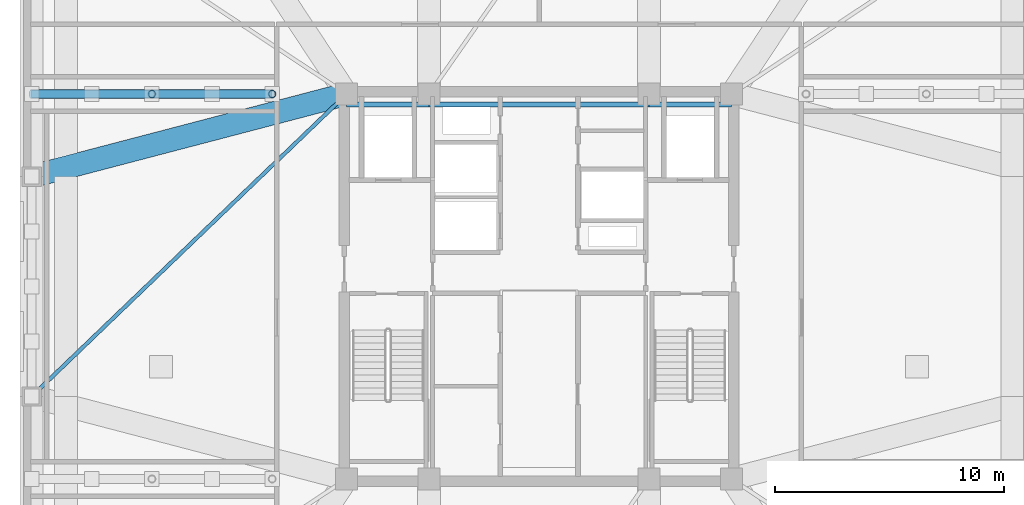
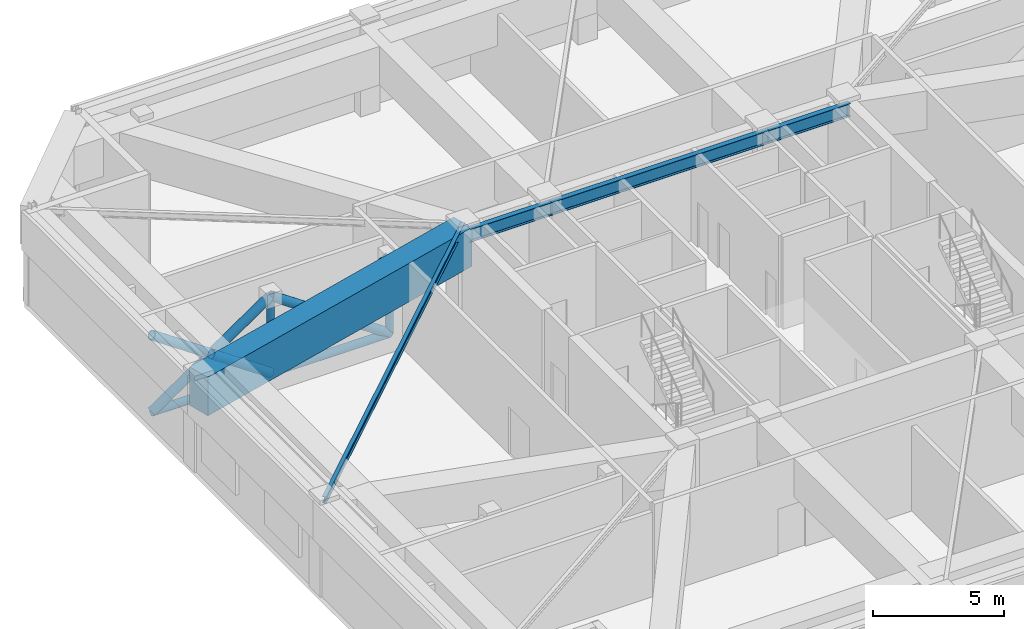
# One storey, part 7 of 17: 9 members, 5 beams.
"""IFC4 building model written with IfcOpenShell, lengths in metres."""

from ifc_helpers import new_model, si_unit, direction, frame, origin, origin_2d, place, context, subcontext, project, spatial, rectangle, hollow_circle, i_section, extrude, material, material_profile, profile_set, type_object, element, save


model = new_model("IFC4")

# Units and contexts
model_context = context("Model", 3, precision=1e-05, world=origin(), true_north=direction((0.0, 1.0)))
body_context = subcontext(model_context, "Body", "Model", "MODEL_VIEW")
ifc_project = project(units=[si_unit("LENGTHUNIT", "METRE"), si_unit("AREAUNIT", "SQUARE_METRE"), si_unit("VOLUMEUNIT", "CUBIC_METRE"), si_unit("PLANEANGLEUNIT", "RADIAN"), si_unit("MASSUNIT", "GRAM", prefix="KILO")], contexts=[model_context])

# Site, building, storey
site_placement = place(None, origin())
site = spatial("IfcSite", under=ifc_project, at=site_placement, CompositionType="ELEMENT")
building_placement = place(site_placement, origin())
building = spatial("IfcBuilding", under=site, at=building_placement, Name="Cairnveth Concourse Tower", CompositionType="ELEMENT")
storey_placement = place(building_placement, frame((0.0, 0.0, 276.0)))
storey = spatial("IfcBuildingStorey", under=building, at=storey_placement, Name="L76", CompositionType="ELEMENT", Elevation=276.0)

# Member
ifc_material_1 = material(Name="Steel C350L0 (350 MPa)", Category="steel")
ifc_material_profile_1 = material_profile(ifc_material_1, hollow_circle(Radius=0.177734375, WallThickness=0.01611328125, at=origin_2d()), Name="355.6x16.0CHS")
ifc_profile_set_1 = profile_set([ifc_material_profile_1], Name="Steel C350L0 (350 MPa)")
member_type_1 = type_object("IfcMemberType", Name="BELT TRUSS CHORD 355.6X16CHS", PredefinedType="CHORD", material=ifc_profile_set_1)
member_1_placement = place(storey_placement, frame((29.85009765625, 47.39990234375, 0.25), z_axis=(1.0, 0.0, 0.0), x_axis=(0.0, 1.0, 0.0)))
element("IfcMember", 1, at=member_1_placement, inside=storey, type_object=member_type_1, Name="Structural Brace OUT-OW2A-CH L76", PredefinedType="CHORD", context=body_context, shape_type="SweptSolid", body=[
    extrude(hollow_circle(Radius=0.177734375, WallThickness=0.01611328125, at=origin_2d()), origin(), (0.0, 0.0, 1.0), 10.5),
])

# Beams
ifc_material_2 = material(Name="Concrete N65 (65 MPa)", Category="concrete")
ifc_material_profile_2 = material_profile(ifc_material_2, rectangle(XDim=1.0, YDim=1.800048828125, at=origin_2d()), Name="RC-TB-1000x1800")
ifc_profile_set_2 = profile_set([ifc_material_profile_2], Name="Concrete N65 (65 MPa)")
beam_type_1 = type_object("IfcBeamType", Name="CONCRETE TRANSFER GIRDER 1000X1800", PredefinedType="BEAM", material=ifc_profile_set_2)
beam_1_placement = place(storey_placement, frame((29.85009765625, 43.800048828125, 3.389892578125), z_axis=(0.967395273598, 0.253271365575, 0.0), x_axis=(-0.253271365575, 0.967395273598, 0.0)))
element("IfcBeam", 2, at=beam_1_placement, inside=storey, type_object=beam_type_1, Name="Beam RG-W2 L76", PredefinedType="BEAM", context=body_context, shape_type="SweptSolid", body=[
    extrude(rectangle(XDim=1.0, YDim=1.800048828125, at=origin_2d()), origin(), (0.0, 0.0, 1.0), 14.21337890625),
])
ifc_material_3 = material(Name="Steel Grade 350", Category="steel")
ifc_material_profile_3 = material_profile(ifc_material_3, i_section(OverallWidth=0.22802734375, OverallDepth=0.60693359375, WebThickness=0.01123046875, FlangeThickness=0.017333984375, FilletRadius=0.013916015625, at=origin_2d()), Name="610UB113")
ifc_profile_set_3 = profile_set([ifc_material_profile_3], Name="Steel Grade 350")
beam_type_2 = type_object("IfcBeamType", Name="CORE TIE BEAM 610UB113", PredefinedType="T_BEAM", material=ifc_profile_set_3)
for number, where, z_axis, x_axis, name in (
    (3, (43.60009765625, 46.949951171875, 3.986572265625), (1.0, 0.0, 0.0), (0.0, 1.0, 0.0), "Beam CT-N1 L76"),
    (4, (56.800048828125, 46.949951171875, 3.986572265625), (1.0, 0.0, 0.0), (0.0, 1.0, 0.0), "Beam CT-N3 L76"),
):
    element("IfcBeam", number, at=place(storey_placement, frame(where, z_axis=z_axis, x_axis=x_axis)), inside=storey, type_object=beam_type_2, Name=name, PredefinedType="T_BEAM", context=body_context, shape_type="SweptSolid", body=[
        extrude(i_section(OverallWidth=0.22802734375, OverallDepth=0.60693359375, WebThickness=0.01123046875, FlangeThickness=0.017333984375, FilletRadius=0.013916015625, at=origin_2d()), origin(), (0.0, 0.0, 1.0), 3.599853515625),
    ])
beam_2_placement = place(storey_placement, frame((47.199951171875, 46.949951171875, 3.986572265625), z_axis=(1.0, 0.0, 0.0), x_axis=(0.0, 1.0, 0.0)))
element("IfcBeam", 5, at=beam_2_placement, inside=storey, type_object=beam_type_2, Name="Beam CT-N2 L76", PredefinedType="T_BEAM", context=body_context, shape_type="SweptSolid", body=[
    extrude(i_section(OverallWidth=0.22802734375, OverallDepth=0.60693359375, WebThickness=0.01123046875, FlangeThickness=0.017333984375, FilletRadius=0.013916015625, at=origin_2d()), origin(), (0.0, 0.0, 1.0), 9.60009765625),
])

# Members
ifc_material_profile_4 = material_profile(ifc_material_1, hollow_circle(Radius=0.203125, WallThickness=0.01611328125, at=origin_2d()), Name="406.4x16.0CHS")
ifc_profile_set_4 = profile_set([ifc_material_profile_4], Name="Steel C350L0 (350 MPa)")
member_type_2 = type_object("IfcMemberType", Name="OUTRIGGER DIAGONAL 406.4X16CHS", PredefinedType="BRACE", material=ifc_profile_set_4)
member_2_placement = place(storey_placement, frame((29.85009765625, 47.39990234375, 0.25), z_axis=(0.825455055734, 0.0, 0.56446784759), x_axis=(0.0, 1.0, 0.0)))
element("IfcMember", 6, at=member_2_placement, inside=storey, type_object=member_type_2, Name="Structural Brace OUT-OW2A-P1A L76", PredefinedType="BRACE", context=body_context, shape_type="SweptSolid", body=[
    extrude(hollow_circle(Radius=0.203125, WallThickness=0.01611328125, at=origin_2d()), origin(), (0.0, 0.0, 1.0), 6.360107421875),
])
member_3_placement = place(storey_placement, frame((29.85009765625, 47.39990234375, 3.840087890625), z_axis=(0.825441572471, 0.0, -0.564487564465), x_axis=(0.0, 1.0, 0.0)))
element("IfcMember", 7, at=member_3_placement, inside=storey, type_object=member_type_2, Name="Structural Brace OUT-OW2A-P1B1 L76", PredefinedType="BRACE", context=body_context, shape_type="SweptSolid", body=[
    extrude(hollow_circle(Radius=0.203125, WallThickness=0.01611328125, at=origin_2d()), origin(), (0.0, 0.0, 1.0), 3.1650390625),
])
member_4_placement = place(storey_placement, frame((32.4873046875, 47.39990234375, 2.03662109375), z_axis=(0.825466149493, 0.0, -0.564451624181), x_axis=(0.0, 1.0, 0.0)))
element("IfcMember", 8, at=member_4_placement, inside=storey, type_object=member_type_2, Name="Structural Brace OUT-OW2A-P1B2 L76", PredefinedType="BRACE", context=body_context, shape_type="SweptSolid", body=[
    extrude(hollow_circle(Radius=0.203125, WallThickness=0.01611328125, at=origin_2d()), origin(), (0.0, 0.0, 1.0), 3.165283203125),
])
member_5_placement = place(storey_placement, frame((35.10009765625, 47.39990234375, 0.25), z_axis=(0.825455055734, 0.0, 0.56446784759), x_axis=(0.0, 1.0, 0.0)))
element("IfcMember", 9, at=member_5_placement, inside=storey, type_object=member_type_2, Name="Structural Brace OUT-OW2A-P2A L76", PredefinedType="BRACE", context=body_context, shape_type="SweptSolid", body=[
    extrude(hollow_circle(Radius=0.203125, WallThickness=0.01611328125, at=origin_2d()), origin(), (0.0, 0.0, 1.0), 6.360107421875),
])
member_6_placement = place(storey_placement, frame((35.10009765625, 47.39990234375, 3.840087890625), z_axis=(0.825441572471, 0.0, -0.564487564465), x_axis=(0.0, 1.0, 0.0)))
element("IfcMember", 10, at=member_6_placement, inside=storey, type_object=member_type_2, Name="Structural Brace OUT-OW2A-P2B1 L76", PredefinedType="BRACE", context=body_context, shape_type="SweptSolid", body=[
    extrude(hollow_circle(Radius=0.203125, WallThickness=0.01611328125, at=origin_2d()), origin(), (0.0, 0.0, 1.0), 3.1650390625),
])
member_7_placement = place(storey_placement, frame((37.7373046875, 47.39990234375, 2.03662109375), z_axis=(0.825466149493, 0.0, -0.564451624181), x_axis=(0.0, 1.0, 0.0)))
element("IfcMember", 11, at=member_7_placement, inside=storey, type_object=member_type_2, Name="Structural Brace OUT-OW2A-P2B2 L76", PredefinedType="BRACE", context=body_context, shape_type="SweptSolid", body=[
    extrude(hollow_circle(Radius=0.203125, WallThickness=0.01611328125, at=origin_2d()), origin(), (0.0, 0.0, 1.0), 3.165283203125),
])
ifc_material_profile_5 = material_profile(ifc_material_1, hollow_circle(Radius=0.161865234375, WallThickness=0.0126953125, at=origin_2d()), Name="323.9x12.7CHS")
ifc_profile_set_5 = profile_set([ifc_material_profile_5], Name="Steel C350L0 (350 MPa)")
member_type_3 = type_object("IfcMemberType", Name="OUTRIGGER KING STRUT 323.9X12.7CHS", PredefinedType="STRUT", material=ifc_profile_set_5)
for number, where, z_axis, x_axis, name in (
    (12, (35.10009765625, 47.39990234375, 0.25), (0.0, 0.0, 1.0), (1.0, 0.0, 0.0), "Structural Brace OUT-OW2A-SR L76"),
    (13, (40.35009765625, 47.39990234375, 0.25), (0.0, 0.0, 1.0), (1.0, 0.0, 0.0), "Structural Brace OUT-OW2A-SRE L76"),
):
    element("IfcMember", number, at=place(storey_placement, frame(where, z_axis=z_axis, x_axis=x_axis)), inside=storey, type_object=member_type_3, Name=name, PredefinedType="STRUT", context=body_context, shape_type="SweptSolid", body=[
        extrude(hollow_circle(Radius=0.161865234375, WallThickness=0.0126953125, at=origin_2d()), origin(), (0.0, 0.0, 1.0), 3.590087890625),
    ])

# Beam
ifc_material_profile_6 = material_profile(ifc_material_3, i_section(OverallWidth=0.166015625, OverallDepth=0.306884765625, WebThickness=0.006591796875, FlangeThickness=0.01171875, FilletRadius=0.010986328125, at=origin_2d()), Name="310UB46.2")
ifc_profile_set_6 = profile_set([ifc_material_profile_6], Name="Steel Grade 350")
beam_type_3 = type_object("IfcBeamType", Name="ZONE 3 FLOOR JOIST 310UB46.2", PredefinedType="JOIST", material=ifc_profile_set_6)
beam_3_placement = place(storey_placement, frame((29.85009765625, 34.199951171875, 4.136474609375), z_axis=(0.721388600838, 0.692530495055, 0.0), x_axis=(-0.692530495055, 0.721388600838, 0.0)))
element("IfcBeam", 14, at=beam_3_placement, inside=storey, type_object=beam_type_3, Name="Beam FJ-W-M1 L76", PredefinedType="JOIST", context=body_context, shape_type="SweptSolid", body=[
    extrude(i_section(OverallWidth=0.166015625, OverallDepth=0.306884765625, WebThickness=0.006591796875, FlangeThickness=0.01171875, FilletRadius=0.010986328125, at=origin_2d()), origin(), (0.0, 0.0, 1.0), 19.060546875),
])

save(model, "model.ifc")
